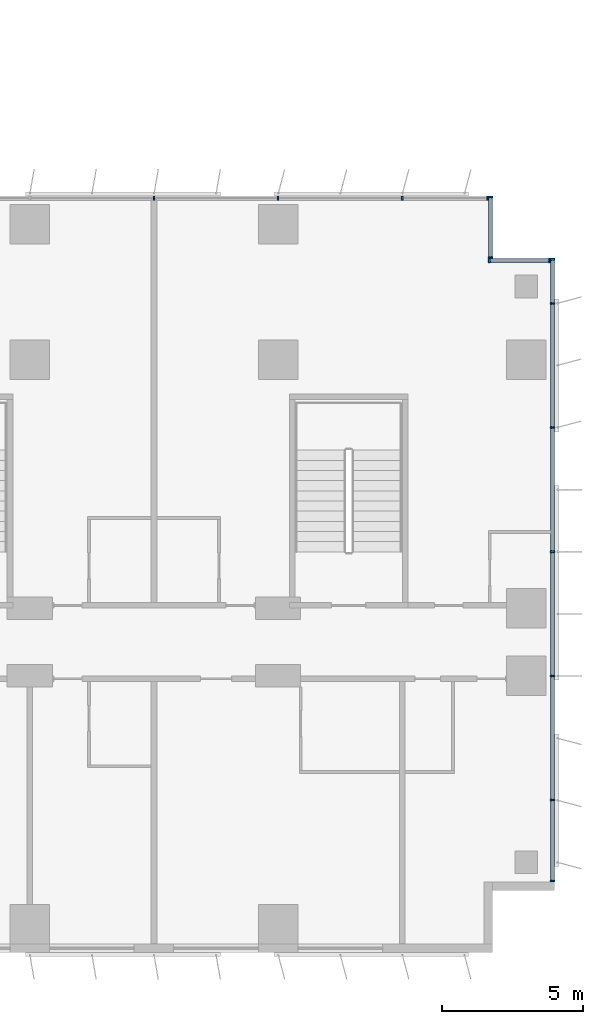
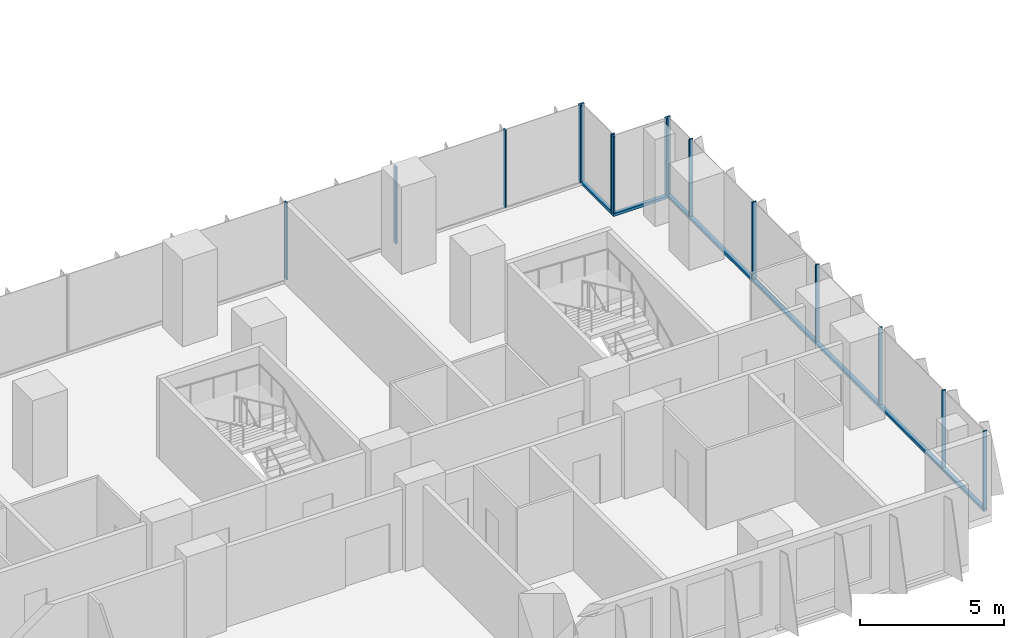
# One storey, part 8 of 24: 18 members, 4 elements without a shape of their own.
"""IFC4 building model written with IfcOpenShell, lengths in metres."""

from ifc_helpers import new_model, si_unit, direction, frame, origin, origin_2d, place, context, subcontext, project, spatial, rectangle, extrude, source, transform, mapped, material, material_profile, profile_set, type_object, element, aggregate, save


model = new_model("IFC4")

# Units and contexts
model_context = context("Model", 3, precision=1e-05, world=origin(), true_north=direction((0.0, 1.0)))
body_context = subcontext(model_context, "Body", "Model", "MODEL_VIEW")
ifc_project = project(units=[si_unit("LENGTHUNIT", "METRE"), si_unit("AREAUNIT", "SQUARE_METRE"), si_unit("VOLUMEUNIT", "CUBIC_METRE"), si_unit("PLANEANGLEUNIT", "RADIAN"), si_unit("MASSUNIT", "GRAM", prefix="KILO")], contexts=[model_context])

# Site, building, storey
site_placement = place(None, origin())
site = spatial("IfcSite", under=ifc_project, at=site_placement, CompositionType="ELEMENT")
building_placement = place(site_placement, origin())
building = spatial("IfcBuilding", under=site, at=building_placement, Name="Kemantara Hotel Tower", CompositionType="ELEMENT")
storey_placement = place(building_placement, frame((0.0, 0.0, 63.60009765625)))
storey = spatial("IfcBuildingStorey", under=building, at=storey_placement, Name="L14", CompositionType="ELEMENT", Elevation=63.60009765625)

# Curtain wall, member
ifc_material_1 = material(Name="Low-E tinted double insulated glass 36 mm", Category="glass")
curtain_wall_type = type_object("IfcCurtainWallType", Name="TOWER CURTAIN WALL, FRONT FACES", PredefinedType="USERDEFINED", material=ifc_material_1)
curtain_wall_1_placement = place(storey_placement, origin())
curtain_wall_1 = element("IfcCurtainWall", 1, at=curtain_wall_1_placement, inside=storey, type_object=curtain_wall_type, Name="CW4 L14 T1-R04-1", ObjectType="TOWER CURTAIN WALL, FRONT FACES", PredefinedType="USERDEFINED")
ifc_material_2 = material(Name="Aluminium 6063-T6 bronze anodised", Category="aluminium")
ifc_material_profile_1 = material_profile(ifc_material_2, rectangle(XDim=0.14990234375, YDim=0.1201171875, at=origin_2d()), Name="TOWER CURTAIN WALL, FRONT FACES TRANSOM")
ifc_profile_set_1 = profile_set([ifc_material_profile_1], Name="Aluminium 6063-T6 bronze anodised")
member_type_1 = type_object("IfcMemberType", Name="TOWER CURTAIN WALL, FRONT FACES TRANSOM", PredefinedType="USERDEFINED", material=ifc_profile_set_1)
member_1_placement = place(storey_placement, frame((81.125, 2.5, 0.059814453125), z_axis=(0.0, 1.0, 0.0), x_axis=(-1.0, 0.0, 0.0)))
member_1 = element("IfcMember", 2, at=member_1_placement, type_object=member_type_1, Name="CW4 sill transom T1-R04-1", ObjectType="TRANSOM", PredefinedType="USERDEFINED", context=body_context, shape_type="SweptSolid", body=[
    extrude(rectangle(XDim=0.14990234375, YDim=0.1201171875, at=origin_2d()), origin(), (0.0, 0.0, 1.0), 22.10009765625),
])

curtain_wall_2_placement = place(storey_placement, origin())
curtain_wall_2 = element("IfcCurtainWall", 3, at=curtain_wall_2_placement, inside=storey, type_object=curtain_wall_type, Name="CW4 L14 T1-R05-1", ObjectType="TOWER CURTAIN WALL, FRONT FACES", PredefinedType="USERDEFINED")
member_2_placement = place(storey_placement, frame((81.050048828125, 24.52490234375, 0.059814453125), z_axis=(-1.0, 0.0, 0.0), x_axis=(0.0, -1.0, 0.0)))
member_2 = element("IfcMember", 4, at=member_2_placement, type_object=member_type_1, Name="CW4 sill transom T1-R05-1", ObjectType="TRANSOM", PredefinedType="USERDEFINED", context=body_context, shape_type="SweptSolid", body=[
    extrude(rectangle(XDim=0.14990234375, YDim=0.1201171875, at=origin_2d()), origin(), (0.0, 0.0, 1.0), 2.199951171875),
])

curtain_wall_3_placement = place(storey_placement, origin())
curtain_wall_3 = element("IfcCurtainWall", 5, at=curtain_wall_3_placement, inside=storey, type_object=curtain_wall_type, Name="CW4 L14 T1-R06-1", ObjectType="TOWER CURTAIN WALL, FRONT FACES", PredefinedType="USERDEFINED")
member_3_placement = place(storey_placement, frame((78.925048828125, 24.60009765625, 0.059814453125), z_axis=(0.0, 1.0, 0.0), x_axis=(-1.0, 0.0, 0.0)))
member_3 = element("IfcMember", 6, at=member_3_placement, type_object=member_type_1, Name="CW4 sill transom T1-R06-1", ObjectType="TRANSOM", PredefinedType="USERDEFINED", context=body_context, shape_type="SweptSolid", body=[
    extrude(rectangle(XDim=0.14990234375, YDim=0.1201171875, at=origin_2d()), origin(), (0.0, 0.0, 1.0), 2.199951171875),
])

# Member
ifc_material_profile_2 = material_profile(ifc_material_2, rectangle(XDim=0.14990234375, YDim=0.06005859375, at=origin_2d()), Name="TOWER CURTAIN WALL, FRONT FACES MULLION")
ifc_profile_set_2 = profile_set([ifc_material_profile_2], Name="Aluminium 6063-T6 bronze anodised")
member_type_2 = type_object("IfcMemberType", Name="TOWER CURTAIN WALL, FRONT FACES MULLION", PredefinedType="MULLION", material=ifc_profile_set_2)
shared_shape = source(origin(), body_context, "Body", "SweptSolid", [
    extrude(rectangle(XDim=0.14990234375, YDim=0.06005859375, at=origin_2d()), origin(), (0.0, 0.0, 1.0), 3.280029296875),
])
member_4_placement = place(storey_placement, frame((81.125, 2.530029296875, 0.119873046875), z_axis=(0.0, 0.0, 1.0), x_axis=(-1.0, 0.0, 0.0)))
member_4 = element("IfcMember", 7, at=member_4_placement, type_object=member_type_2, Name="CW4 mullion T1-R04-1.1", PredefinedType="MULLION", context=body_context, shape_type="MappedRepresentation", body=[
    mapped(shared_shape, transform((0.0, 0.0, 0.0))),
])

member_5_placement = place(storey_placement, frame((81.125, 5.39990234375, 0.119873046875), z_axis=(0.0, 0.0, 1.0), x_axis=(-1.0, 0.0, 0.0)))
member_5 = element("IfcMember", 8, at=member_5_placement, type_object=member_type_2, Name="CW4 mullion T1-R04-1.2", PredefinedType="MULLION", context=body_context, shape_type="MappedRepresentation", body=[
    mapped(shared_shape, transform((0.0, 0.0, 0.0))),
])

member_6_placement = place(storey_placement, frame((81.125, 9.800048828125, 0.119873046875), z_axis=(0.0, 0.0, 1.0), x_axis=(-1.0, 0.0, 0.0)))
member_6 = element("IfcMember", 9, at=member_6_placement, type_object=member_type_2, Name="CW4 mullion T1-R04-1.3", PredefinedType="MULLION", context=body_context, shape_type="MappedRepresentation", body=[
    mapped(shared_shape, transform((0.0, 0.0, 0.0))),
])

member_7_placement = place(storey_placement, frame((81.125, 14.199951171875, 0.119873046875), z_axis=(0.0, 0.0, 1.0), x_axis=(-1.0, 0.0, 0.0)))
member_7 = element("IfcMember", 10, at=member_7_placement, type_object=member_type_2, Name="CW4 mullion T1-R04-1.4", PredefinedType="MULLION", context=body_context, shape_type="MappedRepresentation", body=[
    mapped(shared_shape, transform((0.0, 0.0, 0.0))),
])

member_8_placement = place(storey_placement, frame((81.125, 18.60009765625, 0.119873046875), z_axis=(0.0, 0.0, 1.0), x_axis=(-1.0, 0.0, 0.0)))
member_8 = element("IfcMember", 11, at=member_8_placement, type_object=member_type_2, Name="CW4 mullion T1-R04-1.5", PredefinedType="MULLION", context=body_context, shape_type="MappedRepresentation", body=[
    mapped(shared_shape, transform((0.0, 0.0, 0.0))),
])

member_9_placement = place(storey_placement, frame((81.125, 23.0, 0.119873046875), z_axis=(0.0, 0.0, 1.0), x_axis=(-1.0, 0.0, 0.0)))
member_9 = element("IfcMember", 12, at=member_9_placement, type_object=member_type_2, Name="CW4 mullion T1-R04-1.6", PredefinedType="MULLION", context=body_context, shape_type="MappedRepresentation", body=[
    mapped(shared_shape, transform((0.0, 0.0, 0.0))),
])

member_10_placement = place(storey_placement, frame((81.125, 24.570068359375, 0.119873046875), z_axis=(0.0, 0.0, 1.0), x_axis=(-1.0, 0.0, 0.0)))
member_10 = element("IfcMember", 13, at=member_10_placement, type_object=member_type_2, Name="CW4 mullion T1-R04-1.7", PredefinedType="MULLION", context=body_context, shape_type="MappedRepresentation", body=[
    mapped(shared_shape, transform((0.0, 0.0, 0.0))),
])

aggregate(curtain_wall_1, [member_1, member_4, member_5, member_6, member_7, member_8, member_9, member_10])

# Curtain wall, members
curtain_wall_4_placement = place(storey_placement, origin())
curtain_wall_4 = element("IfcCurtainWall", 14, at=curtain_wall_4_placement, inside=storey, type_object=curtain_wall_type, Name="CW4 L14 T1-R07-1", ObjectType="TOWER CURTAIN WALL, FRONT FACES", PredefinedType="USERDEFINED")
member_11_placement = place(storey_placement, frame((78.820068359375, 26.72509765625, 0.119873046875), z_axis=(0.0, 0.0, 1.0), x_axis=(0.0, -1.0, 0.0)))
member_11 = element("IfcMember", 15, at=member_11_placement, type_object=member_type_2, Name="CW4 mullion T1-R07-1.1", PredefinedType="MULLION", context=body_context, shape_type="MappedRepresentation", body=[
    mapped(shared_shape, transform((0.0, 0.0, 0.0))),
])
member_12_placement = place(storey_placement, frame((75.800048828125, 26.72509765625, 0.119873046875), z_axis=(0.0, 0.0, 1.0), x_axis=(0.0, -1.0, 0.0)))
member_12 = element("IfcMember", 16, at=member_12_placement, type_object=member_type_2, Name="CW4 mullion T1-R07-1.2", PredefinedType="MULLION", context=body_context, shape_type="MappedRepresentation", body=[
    mapped(shared_shape, transform((0.0, 0.0, 0.0))),
])
member_13_placement = place(storey_placement, frame((71.39990234375, 26.72509765625, 0.119873046875), z_axis=(0.0, 0.0, 1.0), x_axis=(0.0, -1.0, 0.0)))
member_13 = element("IfcMember", 17, at=member_13_placement, type_object=member_type_2, Name="CW4 mullion T1-R07-1.3", PredefinedType="MULLION", context=body_context, shape_type="MappedRepresentation", body=[
    mapped(shared_shape, transform((0.0, 0.0, 0.0))),
])
member_14_placement = place(storey_placement, frame((67.0, 26.72509765625, 0.119873046875), z_axis=(0.0, 0.0, 1.0), x_axis=(0.0, -1.0, 0.0)))
member_14 = element("IfcMember", 18, at=member_14_placement, type_object=member_type_2, Name="CW4 mullion T1-R07-1.4", PredefinedType="MULLION", context=body_context, shape_type="MappedRepresentation", body=[
    mapped(shared_shape, transform((0.0, 0.0, 0.0))),
])
aggregate(curtain_wall_4, [member_11, member_12, member_13, member_14])

# Member
member_15_placement = place(storey_placement, frame((81.02001953125, 24.52490234375, 0.119873046875), z_axis=(0.0, 0.0, 1.0), x_axis=(0.0, -1.0, 0.0)))
member_15 = element("IfcMember", 19, at=member_15_placement, type_object=member_type_2, Name="CW4 mullion T1-R05-1.1", PredefinedType="MULLION", context=body_context, shape_type="MappedRepresentation", body=[
    mapped(shared_shape, transform((0.0, 0.0, 0.0))),
])

member_16_placement = place(storey_placement, frame((78.8798828125, 24.52490234375, 0.119873046875), z_axis=(0.0, 0.0, 1.0), x_axis=(0.0, -1.0, 0.0)))
member_16 = element("IfcMember", 20, at=member_16_placement, type_object=member_type_2, Name="CW4 mullion T1-R05-1.2", PredefinedType="MULLION", context=body_context, shape_type="MappedRepresentation", body=[
    mapped(shared_shape, transform((0.0, 0.0, 0.0))),
])

aggregate(curtain_wall_2, [member_2, member_15, member_16])

member_17_placement = place(storey_placement, frame((78.925048828125, 24.6298828125, 0.119873046875), z_axis=(0.0, 0.0, 1.0), x_axis=(-1.0, 0.0, 0.0)))
member_17 = element("IfcMember", 21, at=member_17_placement, type_object=member_type_2, Name="CW4 mullion T1-R06-1.1", PredefinedType="MULLION", context=body_context, shape_type="MappedRepresentation", body=[
    mapped(shared_shape, transform((0.0, 0.0, 0.0))),
])

member_18_placement = place(storey_placement, frame((78.925048828125, 26.77001953125, 0.119873046875), z_axis=(0.0, 0.0, 1.0), x_axis=(-1.0, 0.0, 0.0)))
member_18 = element("IfcMember", 22, at=member_18_placement, type_object=member_type_2, Name="CW4 mullion T1-R06-1.2", PredefinedType="MULLION", context=body_context, shape_type="MappedRepresentation", body=[
    mapped(shared_shape, transform((0.0, 0.0, 0.0))),
])

aggregate(curtain_wall_3, [member_3, member_17, member_18])

save(model, "model.ifc")
